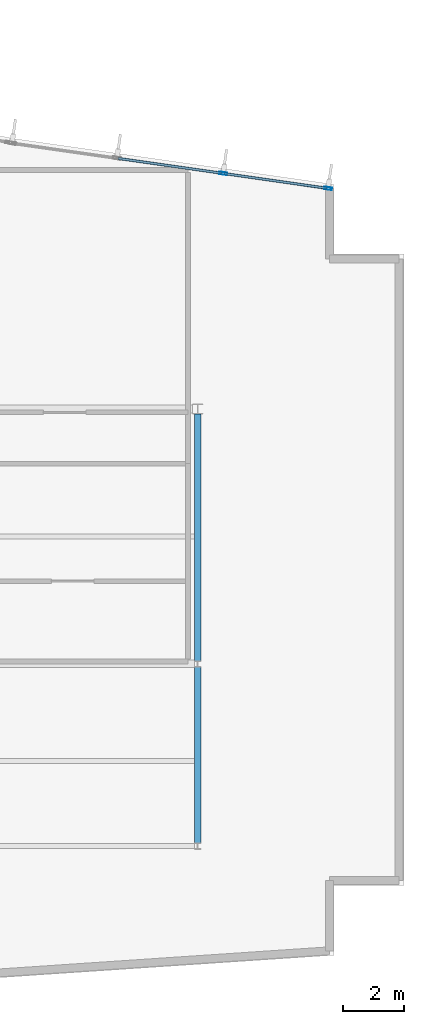
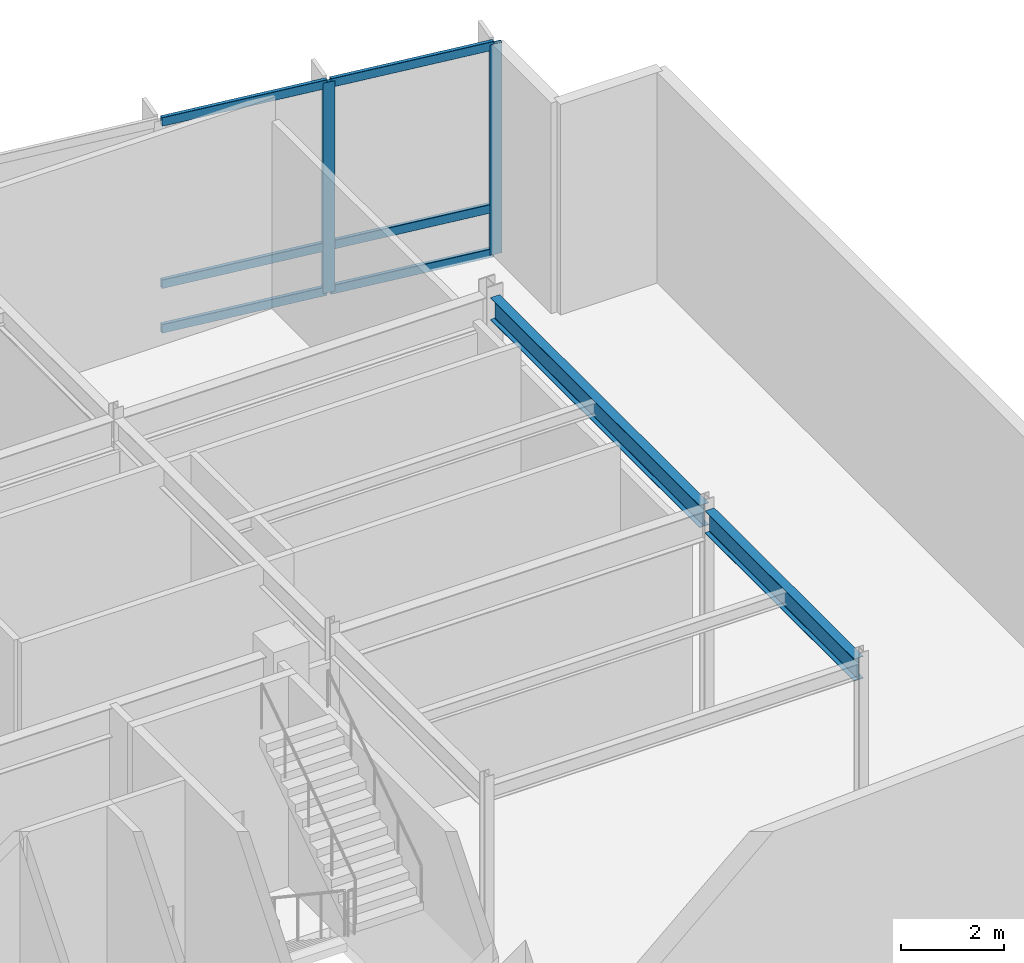
# One storey, part 7 of 14: 8 members, 2 beams, 1 element without a shape of its own.
"""IFC4 building model written with IfcOpenShell, lengths in metres."""

from ifc_helpers import new_model, si_unit, direction, frame, origin, origin_2d, place, context, subcontext, project, spatial, hollow_rectangle, i_section, extrude, material, layer, layer_set, material_profile, profile_set, type_object, element, aggregate, save


model = new_model("IFC4")

# Units and contexts
model_context = context("Model", 3, precision=1e-05, world=origin(), true_north=direction((0.0, 1.0)))
body_context = subcontext(model_context, "Body", "Model", "MODEL_VIEW")
ifc_project = project(units=[si_unit("LENGTHUNIT", "METRE"), si_unit("AREAUNIT", "SQUARE_METRE"), si_unit("VOLUMEUNIT", "CUBIC_METRE"), si_unit("PLANEANGLEUNIT", "RADIAN"), si_unit("MASSUNIT", "GRAM", prefix="KILO")], contexts=[model_context])

# Site, building, storey
site_placement = place(None, origin())
site = spatial("IfcSite", under=ifc_project, at=site_placement, CompositionType="ELEMENT")
building_placement = place(site_placement, origin())
building = spatial("IfcBuilding", under=site, at=building_placement, Name="Varnakote Quay Hospital", CompositionType="ELEMENT")
storey_placement = place(building_placement, frame((0.0, 0.0, 303.949951171875)))
storey = spatial("IfcBuildingStorey", under=building, at=storey_placement, Name="L75", CompositionType="ELEMENT", Elevation=303.949951171875)

# Beams
ifc_material_1 = material(Name="Structural steel AS/NZS 3679.1 Grade 350 L0 (fy 340 MPa)", Category="steel")
ifc_material_profile_1 = material_profile(ifc_material_1, i_section(OverallWidth=0.208984375, OverallDepth=0.528076171875, WebThickness=0.009521484375, FlangeThickness=0.01318359375, FilletRadius=0.013916015625, at=origin_2d()), Name="530UB82.0")
ifc_profile_set_1 = profile_set([ifc_material_profile_1], Name="Structural steel AS/NZS 3679.1 Grade 350 L0 (fy 340 MPa)")
beam_type = type_object("IfcBeamType", Name="BM-STL-530UB82-0", PredefinedType="BEAM", material=ifc_profile_set_1)
beam_1_placement = place(storey_placement, frame((33.60009765625, 6.10498046875, 4.72607421875), z_axis=(0.0, 1.0, 0.0), x_axis=(-1.0, 0.0, 0.0)))
element("IfcBeam", 1, at=beam_1_placement, inside=storey, type_object=beam_type, Name="L75 Primary Tie Beam", PredefinedType="BEAM", context=body_context, shape_type="SweptSolid", body=[
    extrude(i_section(OverallWidth=0.208984375, OverallDepth=0.528076171875, WebThickness=0.009521484375, FlangeThickness=0.01318359375, FilletRadius=0.013916015625, at=origin_2d()), origin(), (0.0, 0.0, 1.0), 5.7900390625),
])
beam_2_placement = place(storey_placement, frame((33.60009765625, 12.10498046875, 4.72607421875), z_axis=(0.0, 1.0, 0.0), x_axis=(-1.0, 0.0, 0.0)))
element("IfcBeam", 2, at=beam_2_placement, inside=storey, type_object=beam_type, Name="L75 Primary Tie Beam", PredefinedType="BEAM", context=body_context, shape_type="SweptSolid", body=[
    extrude(i_section(OverallWidth=0.208984375, OverallDepth=0.528076171875, WebThickness=0.009521484375, FlangeThickness=0.01318359375, FilletRadius=0.013916015625, at=origin_2d()), origin(), (0.0, 0.0, 1.0), 8.125),
])

# Curtain wall, members
ifc_material_2 = material(Name="Anodised aluminium 6063-T6 Bronze", Category="aluminium")
ifc_layer = layer(ifc_material_2, 0.25)
ifc_layer_set = layer_set([ifc_layer], Name="Anodised aluminium 6063-T6 Bronze")
curtain_wall_type = type_object("IfcCurtainWallType", Name="CW-SYS-6", PredefinedType="NOTDEFINED", material=ifc_layer_set)
curtain_wall_placement = place(storey_placement, origin())
curtain_wall = element("IfcCurtainWall", 3, at=curtain_wall_placement, inside=storey, type_object=curtain_wall_type, Name="L75 Unitised Bronze Curtain Wall 1", PredefinedType="NOTDEFINED")
ifc_material_3 = material(Name="Anodised aluminium 6063-T6 Bronze", Category="aluminium")
ifc_material_profile_2 = material_profile(ifc_material_3, hollow_rectangle(XDim=0.0849609375, YDim=0.260009765625, WallThickness=0.0048828125, InnerFilletRadius=0.0048828125, OuterFilletRadius=0.010009765625, at=origin_2d()), Name="CW-MULL-260x85")
ifc_profile_set_2 = profile_set([ifc_material_profile_2], Name="Anodised aluminium 6063-T6 Bronze")
member_type_1 = type_object("IfcMemberType", Name="CW-MULL-260x85", PredefinedType="MULLION", material=ifc_profile_set_2)
member_1_placement = place(storey_placement, frame((37.89794921875, 27.667236328125, 0.0), z_axis=(0.0, 0.0, 1.0), x_axis=(-0.141571876691, -0.989927979062, 0.0)))
member_1 = element("IfcMember", 4, at=member_1_placement, type_object=member_type_1, Name="-6-L75-1 mullion 1", PredefinedType="MULLION", context=body_context, shape_type="SweptSolid", body=[
    extrude(hollow_rectangle(XDim=0.0849609375, YDim=0.260009765625, WallThickness=0.0048828125, InnerFilletRadius=0.0048828125, OuterFilletRadius=0.010009765625, at=origin_2d()), origin(), (0.0, 0.0, 1.0), 4.989990234375),
])
member_2_placement = place(storey_placement, frame((34.441162109375, 28.16162109375, 0.0), z_axis=(0.0, 0.0, 1.0), x_axis=(-0.141571876691, -0.989927979062, 0.0)))
member_2 = element("IfcMember", 5, at=member_2_placement, type_object=member_type_1, Name="-6-L75-1 mullion 2", PredefinedType="MULLION", context=body_context, shape_type="SweptSolid", body=[
    extrude(hollow_rectangle(XDim=0.0849609375, YDim=0.260009765625, WallThickness=0.0048828125, InnerFilletRadius=0.0048828125, OuterFilletRadius=0.010009765625, at=origin_2d()), origin(), (0.0, 0.0, 1.0), 4.989990234375),
])
ifc_material_4 = material(Name="Anodised aluminium 6063-T6 Bronze", Category="aluminium")
ifc_material_profile_3 = material_profile(ifc_material_4, hollow_rectangle(XDim=0.0849609375, YDim=0.2099609375, WallThickness=0.00439453125, InnerFilletRadius=0.00439453125, OuterFilletRadius=0.009033203125, at=origin_2d()), Name="CW-TRAN-210x85")
ifc_profile_set_3 = profile_set([ifc_material_profile_3], Name="Anodised aluminium 6063-T6 Bronze")
member_type_2 = type_object("IfcMemberType", Name="CW-TRAN-210x85", PredefinedType="USERDEFINED", material=ifc_profile_set_3)
member_3_placement = place(storey_placement, frame((37.85595703125, 27.67333984375, 0.04248046875), z_axis=(-0.989923679266, 0.141601939354, 0.0), x_axis=(-0.141601939354, -0.989923679266, 0.0)))
member_3 = element("IfcMember", 6, at=member_3_placement, type_object=member_type_2, Name="-6-L75-1 transom 1.1", ObjectType="TRANSOM", PredefinedType="USERDEFINED", context=body_context, shape_type="SweptSolid", body=[
    extrude(hollow_rectangle(XDim=0.0849609375, YDim=0.2099609375, WallThickness=0.00439453125, InnerFilletRadius=0.00439453125, OuterFilletRadius=0.009033203125, at=origin_2d()), origin(), (0.0, 0.0, 1.0), 3.406982421875),
])
member_4_placement = place(storey_placement, frame((37.85595703125, 27.67333984375, 1.10009765625), z_axis=(-0.989923679266, 0.141601939354, 0.0), x_axis=(-0.141601939354, -0.989923679266, 0.0)))
member_4 = element("IfcMember", 7, at=member_4_placement, type_object=member_type_2, Name="-6-L75-1 transom 1.2", ObjectType="TRANSOM", PredefinedType="USERDEFINED", context=body_context, shape_type="SweptSolid", body=[
    extrude(hollow_rectangle(XDim=0.0849609375, YDim=0.2099609375, WallThickness=0.00439453125, InnerFilletRadius=0.00439453125, OuterFilletRadius=0.009033203125, at=origin_2d()), origin(), (0.0, 0.0, 1.0), 3.406982421875),
])
member_5_placement = place(storey_placement, frame((37.85595703125, 27.67333984375, 4.947509765625), z_axis=(-0.989923679266, 0.141601939354, 0.0), x_axis=(-0.141601939354, -0.989923679266, 0.0)))
member_5 = element("IfcMember", 8, at=member_5_placement, type_object=member_type_2, Name="-6-L75-1 transom 1.3", ObjectType="TRANSOM", PredefinedType="USERDEFINED", context=body_context, shape_type="SweptSolid", body=[
    extrude(hollow_rectangle(XDim=0.0849609375, YDim=0.2099609375, WallThickness=0.00439453125, InnerFilletRadius=0.00439453125, OuterFilletRadius=0.009033203125, at=origin_2d()), origin(), (0.0, 0.0, 1.0), 3.406982421875),
])
member_6_placement = place(storey_placement, frame((34.399169921875, 28.167724609375, 0.04248046875), z_axis=(-0.989929665529, 0.141560083731, 0.0), x_axis=(-0.141560083731, -0.989929665529, 0.0)))
member_6 = element("IfcMember", 9, at=member_6_placement, type_object=member_type_2, Name="-6-L75-1 transom 2.1", ObjectType="TRANSOM", PredefinedType="USERDEFINED", context=body_context, shape_type="SweptSolid", body=[
    extrude(hollow_rectangle(XDim=0.0849609375, YDim=0.2099609375, WallThickness=0.00439453125, InnerFilletRadius=0.00439453125, OuterFilletRadius=0.009033203125, at=origin_2d()), origin(), (0.0, 0.0, 1.0), 3.44921875),
])
member_7_placement = place(storey_placement, frame((34.399169921875, 28.167724609375, 1.10009765625), z_axis=(-0.989929665529, 0.141560083731, 0.0), x_axis=(-0.141560083731, -0.989929665529, 0.0)))
member_7 = element("IfcMember", 10, at=member_7_placement, type_object=member_type_2, Name="-6-L75-1 transom 2.2", ObjectType="TRANSOM", PredefinedType="USERDEFINED", context=body_context, shape_type="SweptSolid", body=[
    extrude(hollow_rectangle(XDim=0.0849609375, YDim=0.2099609375, WallThickness=0.00439453125, InnerFilletRadius=0.00439453125, OuterFilletRadius=0.009033203125, at=origin_2d()), origin(), (0.0, 0.0, 1.0), 3.44921875),
])
member_8_placement = place(storey_placement, frame((34.399169921875, 28.167724609375, 4.947509765625), z_axis=(-0.989929665529, 0.141560083731, 0.0), x_axis=(-0.141560083731, -0.989929665529, 0.0)))
member_8 = element("IfcMember", 11, at=member_8_placement, type_object=member_type_2, Name="-6-L75-1 transom 2.3", ObjectType="TRANSOM", PredefinedType="USERDEFINED", context=body_context, shape_type="SweptSolid", body=[
    extrude(hollow_rectangle(XDim=0.0849609375, YDim=0.2099609375, WallThickness=0.00439453125, InnerFilletRadius=0.00439453125, OuterFilletRadius=0.009033203125, at=origin_2d()), origin(), (0.0, 0.0, 1.0), 3.44921875),
])
aggregate(curtain_wall, [member_1, member_2, member_3, member_4, member_5, member_6, member_7, member_8])

save(model, "model.ifc")
